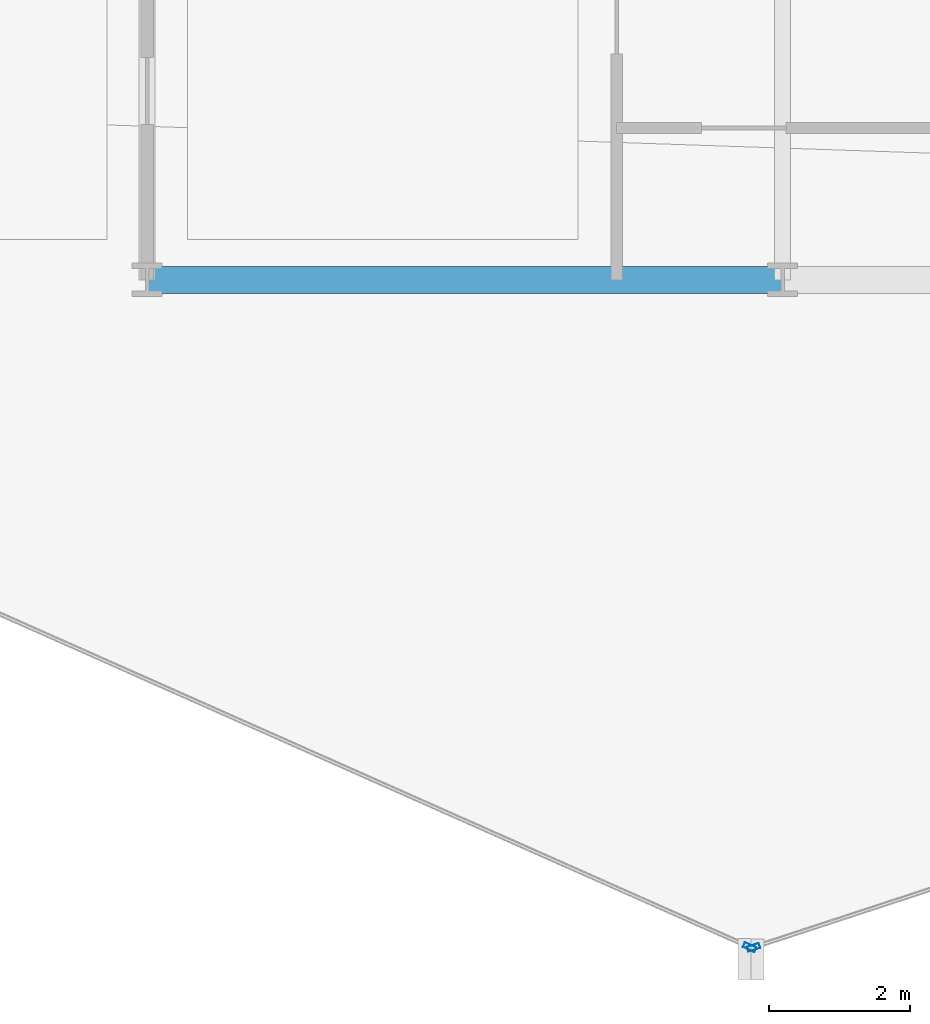
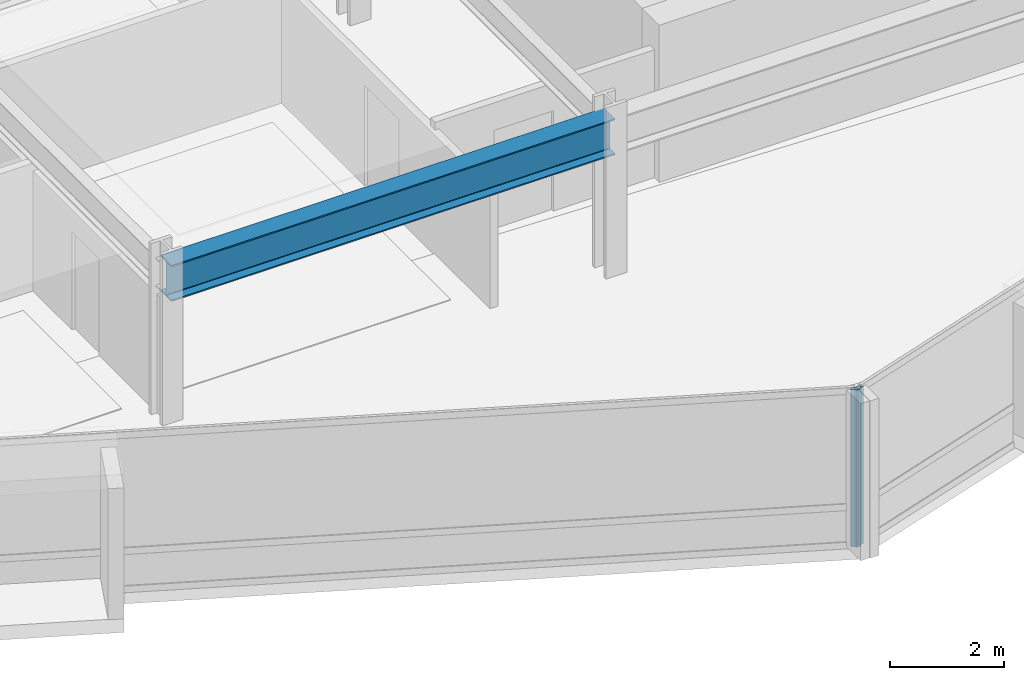
# One storey, part 4 of 34: 2 members, 1 beam, 2 elements without a shape of their own.
"""IFC4 building model written with IfcOpenShell, lengths in metres."""

import ifcopenshell
import ifcopenshell.guid

model = None  # the IFC model being written
_history = None  # IfcOwnerHistory: only IFC2X3 demands one
_inside = {}  # id of a spatial element -> (the spatial element, [elements in it])
_under = {}  # id of a project, library or spatial element -> (it, [spatial elements below it])
_declared = {}  # id of a project -> (the project, [libraries it declares])
_typed = {}  # id of a type object -> (the type object, [elements of that type])
_made_of = {}  # id of a material, layer set ... -> (it, [elements and type objects made of it])


def new_model(schema):
    """Start an empty IFC model of exactly this schema.

    Asked for "IFC4X3", IfcOpenShell would pick the latest addendum, in which some entities
    have other attributes; the version numbers below select the first issue.
    IFC2X3 requires an IfcOwnerHistory on every rooted entity: one is made here for all.
    """
    global model, _history
    if schema == "IFC4X3":
        model = ifcopenshell.file(schema_version=(4, 3, 0, 0))
    else:
        model = ifcopenshell.file(schema=schema)
    _inside.clear()
    _under.clear()
    _declared.clear()
    _typed.clear()
    _made_of.clear()
    _history = None
    if model.schema == "IFC2X3":
        org = make("IfcOrganization", Name="unknown")
        user = make(
            "IfcPersonAndOrganization",
            ThePerson=make("IfcPerson", FamilyName="unknown"),
            TheOrganization=org,
        )
        app = make(
            "IfcApplication",
            ApplicationDeveloper=org,
            Version="unknown",
            ApplicationFullName="unknown",
            ApplicationIdentifier="unknown",
        )
        _history = make(
            "IfcOwnerHistory",
            OwningUser=user,
            OwningApplication=app,
            ChangeAction="ADDED",
            CreationDate=0,
        )
    return model


def make(cls, **values):
    """One entity of the class cls with the attributes given. An attribute that is None is left unset."""
    return model.create_entity(
        cls, **{name: value for name, value in values.items() if value is not None}
    )


def rooted(cls, **values):
    """An entity with a GlobalId (a new one), such as an element, a storey or a relation."""
    return make(cls, GlobalId=ifcopenshell.guid.new(), OwnerHistory=_history, **values)


def si_unit(unit_type, name, prefix=None):
    """IfcSIUnit, for example si_unit("LENGTHUNIT", "METRE", prefix="MILLI")."""
    return make("IfcSIUnit", UnitType=unit_type, Prefix=prefix, Name=name)


def assignment(units):
    """IfcUnitAssignment: the units of a project."""
    return None if units is None else make("IfcUnitAssignment", Units=units)


def point(xyz):
    """IfcCartesianPoint."""
    return None if xyz is None else make("IfcCartesianPoint", Coordinates=xyz)


def direction(xyz):
    """IfcDirection."""
    return None if xyz is None else make("IfcDirection", DirectionRatios=xyz)


def frame(location, z_axis=None, x_axis=None):
    """IfcAxis2Placement3D, a coordinate frame: its origin and axes. An axis left out is left unset."""
    return make(
        "IfcAxis2Placement3D",
        Location=point(location),
        Axis=direction(z_axis),
        RefDirection=direction(x_axis),
    )


def frame_2d(location, x_axis=None):
    """IfcAxis2Placement2D, a coordinate frame in the plane: its origin and x axis."""
    return make(
        "IfcAxis2Placement2D", Location=point(location), RefDirection=direction(x_axis)
    )


def origin():
    """The frame at (0, 0, 0) with its axes left unset."""
    return frame((0.0, 0.0, 0.0))


def origin_2d():
    """The frame at (0, 0) in the plane with its x axis left unset."""
    return frame_2d((0.0, 0.0))


def place(relative_to, where):
    """IfcLocalPlacement: puts the frame where relative to a parent placement (None: the world)."""
    return make(
        "IfcLocalPlacement", PlacementRelTo=relative_to, RelativePlacement=where
    )


def context(
    kind, dimensions, precision=None, world=None, true_north=None, identifier=None
):
    """IfcGeometricRepresentationContext, for example the 3D "Model" context."""
    return make(
        "IfcGeometricRepresentationContext",
        ContextIdentifier=identifier,
        ContextType=kind,
        CoordinateSpaceDimension=dimensions,
        Precision=precision,
        WorldCoordinateSystem=world,
        TrueNorth=true_north,
    )


def subcontext(parent, identifier, kind, view, scale=None):
    """IfcGeometricRepresentationSubContext, for example "Body" below "Model"."""
    return make(
        "IfcGeometricRepresentationSubContext",
        ContextIdentifier=identifier,
        ContextType=kind,
        ParentContext=parent,
        TargetScale=scale,
        TargetView=view,
    )


def project(units=None, contexts=None):
    """IfcProject with its units and contexts."""
    return rooted(
        "IfcProject",
        Name="project",
        RepresentationContexts=contexts,
        UnitsInContext=assignment(units),
    )


def spatial(cls, under=None, at=None, **own):
    """A site, building, storey or space (cls), placed at a placement, below another one or the project."""
    s = rooted(cls, ObjectPlacement=at, **own)
    if under is not None:
        _under.setdefault(under.id(), (under, []))[1].append(s)
    return s


def profile(cls, at=None, kind="AREA", **sizes):
    """A parametric profile (cls). Its sizes go by their IFC names, for example OverallWidth=200.0."""
    return make(cls, ProfileType=kind, Position=at, **sizes)


def hollow_rectangle(**sizes):
    """IfcRectangleHollowProfileDef."""
    return profile("IfcRectangleHollowProfileDef", **sizes)


def i_section(**sizes):
    """IfcIShapeProfileDef."""
    return profile("IfcIShapeProfileDef", **sizes)


def extrude(swept, where, along, depth):
    """IfcExtrudedAreaSolid: the profile swept, set in the frame where, extruded along a direction by depth."""
    return make(
        "IfcExtrudedAreaSolid",
        SweptArea=swept,
        Position=where,
        ExtrudedDirection=direction(along),
        Depth=depth,
    )


def shape(context_of_items, identifier, shape_type, items):
    """IfcShapeRepresentation: the items that make up one representation, for example the "Body"."""
    return make(
        "IfcShapeRepresentation",
        ContextOfItems=context_of_items,
        RepresentationIdentifier=identifier,
        RepresentationType=shape_type,
        Items=items,
    )


def material(Name=None, Category=None):
    """IfcMaterial."""
    return make("IfcMaterial", Name=Name, Category=Category)


def layer(
    of_material, thickness, ventilated=None, Name=None, Category=None, Priority=None
):
    """IfcMaterialLayer: one layer of a wall or slab, of a material (None: an air gap)."""
    return make(
        "IfcMaterialLayer",
        Material=of_material,
        LayerThickness=thickness,
        IsVentilated=ventilated,
        Name=Name,
        Category=Category,
        Priority=Priority,
    )


def layer_set(layers, Name=None):
    """IfcMaterialLayerSet."""
    return make("IfcMaterialLayerSet", MaterialLayers=layers, LayerSetName=Name)


def material_profile(
    of_material, cross_section, Name=None, Category=None, Priority=None
):
    """IfcMaterialProfile: a cross section and its material."""
    return make(
        "IfcMaterialProfile",
        Name=Name,
        Material=of_material,
        Profile=cross_section,
        Priority=Priority,
        Category=Category,
    )


def profile_set(profiles, Name=None, composite=None):
    """IfcMaterialProfileSet."""
    return make(
        "IfcMaterialProfileSet",
        Name=Name,
        MaterialProfiles=profiles,
        CompositeProfile=composite,
    )


def made_of(thing, what):
    """Note that an element or type object is made of a material, layer set ...; save() writes the relation."""
    if what is not None:
        _made_of.setdefault(what.id(), (what, []))[1].append(thing)
    return thing


def type_object(cls, material=None, **own):
    """A type object (cls), such as IfcWallType, which elements share."""
    return made_of(rooted(cls, **own), material)


def element(
    cls,
    number,
    at=None,
    inside=None,
    cuts=None,
    type_object=None,
    material=None,
    context=None,
    identifier="Body",
    shape_type=None,
    held_by="IfcProductDefinitionShape",
    body=None,
    shapes=None,
    **own,
):
    """One element of the class cls, such as IfcWall. Its Tag is "e" and its number.

    at: its placement. inside: the storey or other place that contains it. cuts: it is an
    opening in that element (IfcRelVoidsElement). A single representation is given by context,
    identifier, shape_type and body (its items); several are given by shapes. held_by: the class
    of the entity that holds the representations. save() writes the other relations.
    """
    e = rooted(cls, Tag="e%d" % number, ObjectPlacement=at, **own)
    if body is not None:
        shapes = [shape(context, identifier, shape_type, body)]
    if shapes is not None:
        e.Representation = make(held_by, Representations=shapes)
    if inside is not None:
        _inside.setdefault(inside.id(), (inside, []))[1].append(e)
    if cuts is not None:
        rooted(
            "IfcRelVoidsElement", RelatingBuildingElement=cuts, RelatedOpeningElement=e
        )
    if type_object is not None:
        _typed.setdefault(type_object.id(), (type_object, []))[1].append(e)
    return made_of(e, material)


def aggregate(whole, parts):
    """IfcRelAggregates: a whole, such as a stair, and the parts it consists of."""
    return rooted("IfcRelAggregates", RelatingObject=whole, RelatedObjects=parts)


def save(model, path):
    """Write the relations noted so far, then the file.

    IfcRelAggregates (storeys below a building ...), IfcRelContainedInSpatialStructure (elements
    in a storey), IfcRelDefinesByType, IfcRelAssociatesMaterial and IfcRelDeclares: one each for
    every whole, place, type object, material and project.
    """
    for whole, parts in _under.values():
        aggregate(whole, parts)
    for where, things in _inside.values():
        rooted(
            "IfcRelContainedInSpatialStructure",
            RelatedElements=things,
            RelatingStructure=where,
        )
    for kind, things in _typed.values():
        rooted("IfcRelDefinesByType", RelatedObjects=things, RelatingType=kind)
    for what, things in _made_of.values():
        rooted("IfcRelAssociatesMaterial", RelatedObjects=things, RelatingMaterial=what)
    for by, libraries in _declared.values():
        rooted("IfcRelDeclares", RelatingContext=by, RelatedDefinitions=libraries)
    model.write(path)


model = new_model("IFC4")

# Units and contexts
model_context = context("Model", 3, precision=1e-05, world=origin(), true_north=direction((0.0, 1.0)))
body_context = subcontext(model_context, "Body", "Model", "MODEL_VIEW")
ifc_project = project(units=[si_unit("LENGTHUNIT", "METRE"), si_unit("AREAUNIT", "SQUARE_METRE"), si_unit("VOLUMEUNIT", "CUBIC_METRE"), si_unit("PLANEANGLEUNIT", "RADIAN"), si_unit("MASSUNIT", "GRAM", prefix="KILO")], contexts=[model_context])

# Site, building, storey
site_placement = place(None, origin())
site = spatial("IfcSite", under=ifc_project, at=site_placement, CompositionType="ELEMENT")
building_placement = place(site_placement, origin())
building = spatial("IfcBuilding", under=site, at=building_placement, Name="Solvaryn Broadcast Tower", CompositionType="ELEMENT")
storey_placement = place(building_placement, frame((0.0, 0.0, 96.5)))
storey = spatial("IfcBuildingStorey", under=building, at=storey_placement, Name="L23", CompositionType="ELEMENT", Elevation=96.5)

# Beam
ifc_material_1 = material(Name="Steel ASTM A992 Grade 50", Category="steel")
ifc_material_profile_1 = material_profile(ifc_material_1, i_section(OverallWidth=0.381103515625, OverallDepth=0.77294921875, WebThickness=0.0166015625, FlangeThickness=0.027099609375, FilletRadius=0.01806640625, at=origin_2d()))
ifc_profile_set_1 = profile_set([ifc_material_profile_1], Name="Steel ASTM A992 Grade 50")
beam_type = type_object("IfcBeamType", Name="BM-SP1-W30X173", PredefinedType="USERDEFINED", material=ifc_profile_set_1)
beam_placement = place(storey_placement, frame((18.0, 9.0, 2.9833984375), z_axis=(1.0, 0.0, 0.0), x_axis=(0.0, 1.0, 0.0)))
element("IfcBeam", 1, at=beam_placement, inside=storey, type_object=beam_type, Name="L23 Spandrel Beam X (18-27 @ Y=9)", ObjectType="SPANDREL", PredefinedType="USERDEFINED", context=body_context, shape_type="SweptSolid", body=[
    extrude(i_section(OverallWidth=0.381103515625, OverallDepth=0.77294921875, WebThickness=0.0166015625, FlangeThickness=0.027099609375, FilletRadius=0.01806640625, at=origin_2d()), origin(), (0.0, 0.0, 1.0), 9.0),
])

# Curtain wall, member
ifc_material_2 = material(Name="Aluminium and Terracotta Unitised Curtain Wall", Category="masonry")
ifc_layer = layer(ifc_material_2, 0.199951171875)
ifc_layer_set = layer_set([ifc_layer], Name="CW-SYS2-LOWMID")
curtain_wall_type = type_object("IfcCurtainWallType", Name="CW-SYS2-LOWMID", PredefinedType="NOTDEFINED", material=ifc_layer_set)
curtain_wall_1_placement = place(storey_placement, origin())
curtain_wall_1 = element("IfcCurtainWall", 2, at=curtain_wall_1_placement, inside=storey, type_object=curtain_wall_type, Name="L23 Curtain Wall DR3", PredefinedType="NOTDEFINED")
ifc_material_3 = material(Name="Anodised Aluminium 6063-T6", Category="aluminium")
ifc_material_profile_2 = material_profile(ifc_material_3, hollow_rectangle(XDim=0.074951171875, YDim=0.179931640625, WallThickness=0.00390625, InnerFilletRadius=0.00390625, OuterFilletRadius=0.008056640625, at=origin_2d()))
ifc_profile_set_2 = profile_set([ifc_material_profile_2], Name="Anodised Aluminium 6063-T6")
member_type = type_object("IfcMemberType", Name="CW-MUL-180", PredefinedType="MULLION", material=ifc_profile_set_2)
member_1_placement = place(storey_placement, frame((26.532470703125, -0.451904296875, 0.0), z_axis=(0.0, 0.0, 1.0), x_axis=(0.405898286554, 0.913918257271, 0.0)))
member_1 = element("IfcMember", 3, at=member_1_placement, type_object=member_type, Name="CWS2 mullion 2", PredefinedType="MULLION", context=body_context, shape_type="SweptSolid", body=[
    extrude(hollow_rectangle(XDim=0.074951171875, YDim=0.179931640625, WallThickness=0.00390625, InnerFilletRadius=0.00390625, OuterFilletRadius=0.008056640625, at=origin_2d()), origin(), (0.0, 0.0, 1.0), 3.3701171875),
])
aggregate(curtain_wall_1, [member_1])

curtain_wall_2_placement = place(storey_placement, origin())
curtain_wall_2 = element("IfcCurtainWall", 4, at=curtain_wall_2_placement, inside=storey, type_object=curtain_wall_type, Name="L23 Curtain Wall DR4", PredefinedType="NOTDEFINED")
member_2_placement = place(storey_placement, frame((26.588623046875, -0.45458984375, 0.0), z_axis=(0.0, 0.0, 1.0), x_axis=(-0.311594044587, 0.950215318429, 0.0)))
member_2 = element("IfcMember", 5, at=member_2_placement, type_object=member_type, Name="CWS2 mullion 1", PredefinedType="MULLION", context=body_context, shape_type="SweptSolid", body=[
    extrude(hollow_rectangle(XDim=0.074951171875, YDim=0.179931640625, WallThickness=0.00390625, InnerFilletRadius=0.00390625, OuterFilletRadius=0.008056640625, at=origin_2d()), origin(), (0.0, 0.0, 1.0), 3.3701171875),
])
aggregate(curtain_wall_2, [member_2])

save(model, "model.ifc")
